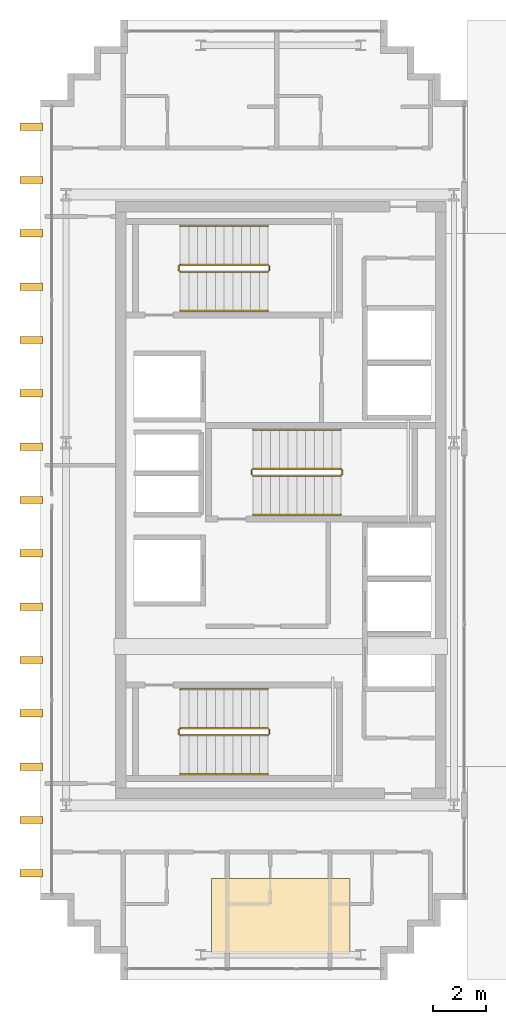
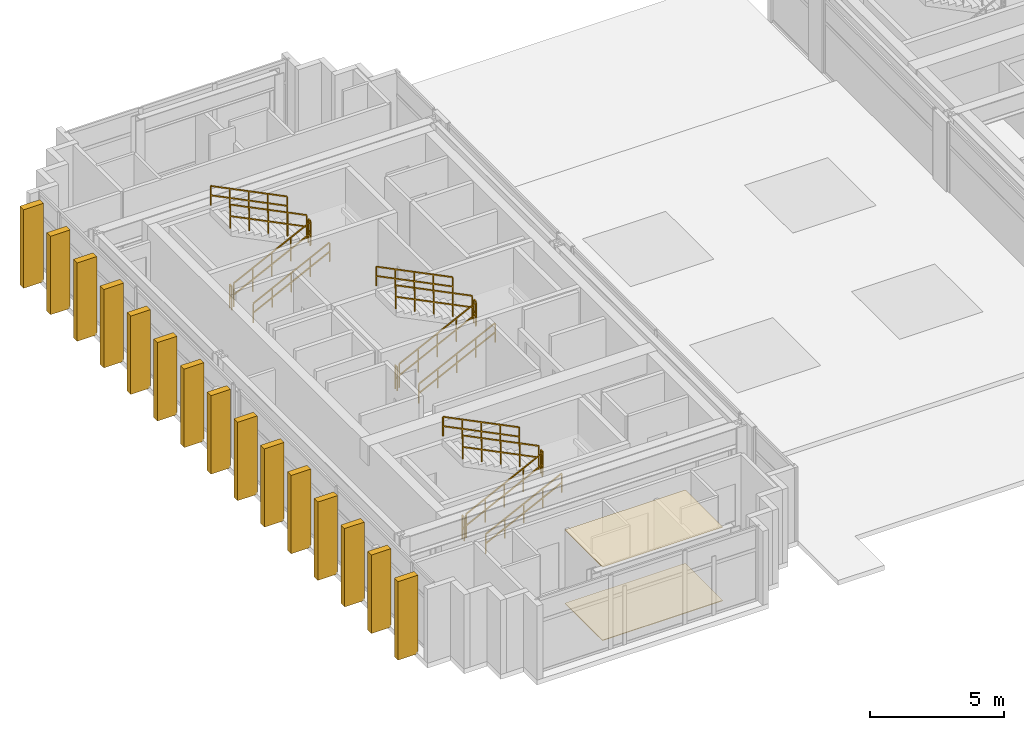
# One storey, part 24 of 25: 18 railings, 15 shading devices, 2 coverings.
"""IFC4 building model written with IfcOpenShell, lengths in metres."""

import ifcopenshell
import ifcopenshell.guid

model = None  # the IFC model being written
_history = None  # IfcOwnerHistory: only IFC2X3 demands one
_inside = {}  # id of a spatial element -> (the spatial element, [elements in it])
_under = {}  # id of a project, library or spatial element -> (it, [spatial elements below it])
_declared = {}  # id of a project -> (the project, [libraries it declares])
_typed = {}  # id of a type object -> (the type object, [elements of that type])
_made_of = {}  # id of a material, layer set ... -> (it, [elements and type objects made of it])


def new_model(schema):
    """Start an empty IFC model of exactly this schema.

    Asked for "IFC4X3", IfcOpenShell would pick the latest addendum, in which some entities
    have other attributes; the version numbers below select the first issue.
    IFC2X3 requires an IfcOwnerHistory on every rooted entity: one is made here for all.
    """
    global model, _history
    if schema == "IFC4X3":
        model = ifcopenshell.file(schema_version=(4, 3, 0, 0))
    else:
        model = ifcopenshell.file(schema=schema)
    _inside.clear()
    _under.clear()
    _declared.clear()
    _typed.clear()
    _made_of.clear()
    _history = None
    if model.schema == "IFC2X3":
        org = make("IfcOrganization", Name="unknown")
        user = make(
            "IfcPersonAndOrganization",
            ThePerson=make("IfcPerson", FamilyName="unknown"),
            TheOrganization=org,
        )
        app = make(
            "IfcApplication",
            ApplicationDeveloper=org,
            Version="unknown",
            ApplicationFullName="unknown",
            ApplicationIdentifier="unknown",
        )
        _history = make(
            "IfcOwnerHistory",
            OwningUser=user,
            OwningApplication=app,
            ChangeAction="ADDED",
            CreationDate=0,
        )
    return model


def make(cls, **values):
    """One entity of the class cls with the attributes given. An attribute that is None is left unset."""
    return model.create_entity(
        cls, **{name: value for name, value in values.items() if value is not None}
    )


def rooted(cls, **values):
    """An entity with a GlobalId (a new one), such as an element, a storey or a relation."""
    return make(cls, GlobalId=ifcopenshell.guid.new(), OwnerHistory=_history, **values)


def si_unit(unit_type, name, prefix=None):
    """IfcSIUnit, for example si_unit("LENGTHUNIT", "METRE", prefix="MILLI")."""
    return make("IfcSIUnit", UnitType=unit_type, Prefix=prefix, Name=name)


def assignment(units):
    """IfcUnitAssignment: the units of a project."""
    return None if units is None else make("IfcUnitAssignment", Units=units)


def point(xyz):
    """IfcCartesianPoint."""
    return None if xyz is None else make("IfcCartesianPoint", Coordinates=xyz)


def direction(xyz):
    """IfcDirection."""
    return None if xyz is None else make("IfcDirection", DirectionRatios=xyz)


def frame(location, z_axis=None, x_axis=None):
    """IfcAxis2Placement3D, a coordinate frame: its origin and axes. An axis left out is left unset."""
    return make(
        "IfcAxis2Placement3D",
        Location=point(location),
        Axis=direction(z_axis),
        RefDirection=direction(x_axis),
    )


def frame_2d(location, x_axis=None):
    """IfcAxis2Placement2D, a coordinate frame in the plane: its origin and x axis."""
    return make(
        "IfcAxis2Placement2D", Location=point(location), RefDirection=direction(x_axis)
    )


def origin():
    """The frame at (0, 0, 0) with its axes left unset."""
    return frame((0.0, 0.0, 0.0))


def origin_2d():
    """The frame at (0, 0) in the plane with its x axis left unset."""
    return frame_2d((0.0, 0.0))


def place(relative_to, where):
    """IfcLocalPlacement: puts the frame where relative to a parent placement (None: the world)."""
    return make(
        "IfcLocalPlacement", PlacementRelTo=relative_to, RelativePlacement=where
    )


def context(
    kind, dimensions, precision=None, world=None, true_north=None, identifier=None
):
    """IfcGeometricRepresentationContext, for example the 3D "Model" context."""
    return make(
        "IfcGeometricRepresentationContext",
        ContextIdentifier=identifier,
        ContextType=kind,
        CoordinateSpaceDimension=dimensions,
        Precision=precision,
        WorldCoordinateSystem=world,
        TrueNorth=true_north,
    )


def subcontext(parent, identifier, kind, view, scale=None):
    """IfcGeometricRepresentationSubContext, for example "Body" below "Model"."""
    return make(
        "IfcGeometricRepresentationSubContext",
        ContextIdentifier=identifier,
        ContextType=kind,
        ParentContext=parent,
        TargetScale=scale,
        TargetView=view,
    )


def project(units=None, contexts=None):
    """IfcProject with its units and contexts."""
    return rooted(
        "IfcProject",
        Name="project",
        RepresentationContexts=contexts,
        UnitsInContext=assignment(units),
    )


def spatial(cls, under=None, at=None, **own):
    """A site, building, storey or space (cls), placed at a placement, below another one or the project."""
    s = rooted(cls, ObjectPlacement=at, **own)
    if under is not None:
        _under.setdefault(under.id(), (under, []))[1].append(s)
    return s


def polyline(points):
    """IfcPolyline through the points."""
    return make("IfcPolyline", Points=[point(p) for p in points])


def profile(cls, at=None, kind="AREA", **sizes):
    """A parametric profile (cls). Its sizes go by their IFC names, for example OverallWidth=200.0."""
    return make(cls, ProfileType=kind, Position=at, **sizes)


def rectangle(**sizes):
    """IfcRectangleProfileDef."""
    return profile("IfcRectangleProfileDef", **sizes)


def outline(outer, holes=None, kind="AREA"):
    """IfcArbitraryClosedProfileDef: a profile drawn as a closed curve; with holes, ...WithVoids."""
    if holes is None:
        return make("IfcArbitraryClosedProfileDef", ProfileType=kind, OuterCurve=outer)
    return make(
        "IfcArbitraryProfileDefWithVoids",
        ProfileType=kind,
        OuterCurve=outer,
        InnerCurves=holes,
    )


def extrude(swept, where, along, depth):
    """IfcExtrudedAreaSolid: the profile swept, set in the frame where, extruded along a direction by depth."""
    return make(
        "IfcExtrudedAreaSolid",
        SweptArea=swept,
        Position=where,
        ExtrudedDirection=direction(along),
        Depth=depth,
    )


def shape(context_of_items, identifier, shape_type, items):
    """IfcShapeRepresentation: the items that make up one representation, for example the "Body"."""
    return make(
        "IfcShapeRepresentation",
        ContextOfItems=context_of_items,
        RepresentationIdentifier=identifier,
        RepresentationType=shape_type,
        Items=items,
    )


def source(mapping_origin, context_of_items, identifier, shape_type, items):
    """IfcRepresentationMap: a shape defined once, which mapped items show again and again."""
    return make(
        "IfcRepresentationMap",
        MappingOrigin=mapping_origin,
        MappedRepresentation=shape(context_of_items, identifier, shape_type, items),
    )


def transform(
    local_origin,
    x_axis=None,
    y_axis=None,
    z_axis=None,
    scale=None,
    scale2=None,
    scale3=None,
    uniform=True,
):
    """IfcCartesianTransformationOperator3D, or its non-uniform kind. x_axis, y_axis, z_axis: its Axis1, 2, 3."""
    if uniform:
        return make(
            "IfcCartesianTransformationOperator3D",
            Axis1=direction(x_axis),
            Axis2=direction(y_axis),
            LocalOrigin=point(local_origin),
            Scale=scale,
            Axis3=direction(z_axis),
        )
    return make(
        "IfcCartesianTransformationOperator3DnonUniform",
        Axis1=direction(x_axis),
        Axis2=direction(y_axis),
        LocalOrigin=point(local_origin),
        Scale=scale,
        Axis3=direction(z_axis),
        Scale2=scale2,
        Scale3=scale3,
    )


def mapped(mapping_source, mapping_target):
    """IfcMappedItem: shows the shape of a source again, moved by a transform."""
    return make(
        "IfcMappedItem", MappingSource=mapping_source, MappingTarget=mapping_target
    )


def material(Name=None, Category=None):
    """IfcMaterial."""
    return make("IfcMaterial", Name=Name, Category=Category)


def layer(
    of_material, thickness, ventilated=None, Name=None, Category=None, Priority=None
):
    """IfcMaterialLayer: one layer of a wall or slab, of a material (None: an air gap)."""
    return make(
        "IfcMaterialLayer",
        Material=of_material,
        LayerThickness=thickness,
        IsVentilated=ventilated,
        Name=Name,
        Category=Category,
        Priority=Priority,
    )


def layer_set(layers, Name=None):
    """IfcMaterialLayerSet."""
    return make("IfcMaterialLayerSet", MaterialLayers=layers, LayerSetName=Name)


def made_of(thing, what):
    """Note that an element or type object is made of a material, layer set ...; save() writes the relation."""
    if what is not None:
        _made_of.setdefault(what.id(), (what, []))[1].append(thing)
    return thing


def type_object(cls, material=None, **own):
    """A type object (cls), such as IfcWallType, which elements share."""
    return made_of(rooted(cls, **own), material)


def element(
    cls,
    number,
    at=None,
    inside=None,
    cuts=None,
    type_object=None,
    material=None,
    context=None,
    identifier="Body",
    shape_type=None,
    held_by="IfcProductDefinitionShape",
    body=None,
    shapes=None,
    **own,
):
    """One element of the class cls, such as IfcWall. Its Tag is "e" and its number.

    at: its placement. inside: the storey or other place that contains it. cuts: it is an
    opening in that element (IfcRelVoidsElement). A single representation is given by context,
    identifier, shape_type and body (its items); several are given by shapes. held_by: the class
    of the entity that holds the representations. save() writes the other relations.
    """
    e = rooted(cls, Tag="e%d" % number, ObjectPlacement=at, **own)
    if body is not None:
        shapes = [shape(context, identifier, shape_type, body)]
    if shapes is not None:
        e.Representation = make(held_by, Representations=shapes)
    if inside is not None:
        _inside.setdefault(inside.id(), (inside, []))[1].append(e)
    if cuts is not None:
        rooted(
            "IfcRelVoidsElement", RelatingBuildingElement=cuts, RelatedOpeningElement=e
        )
    if type_object is not None:
        _typed.setdefault(type_object.id(), (type_object, []))[1].append(e)
    return made_of(e, material)


def aggregate(whole, parts):
    """IfcRelAggregates: a whole, such as a stair, and the parts it consists of."""
    return rooted("IfcRelAggregates", RelatingObject=whole, RelatedObjects=parts)


def save(model, path):
    """Write the relations noted so far, then the file.

    IfcRelAggregates (storeys below a building ...), IfcRelContainedInSpatialStructure (elements
    in a storey), IfcRelDefinesByType, IfcRelAssociatesMaterial and IfcRelDeclares: one each for
    every whole, place, type object, material and project.
    """
    for whole, parts in _under.values():
        aggregate(whole, parts)
    for where, things in _inside.values():
        rooted(
            "IfcRelContainedInSpatialStructure",
            RelatedElements=things,
            RelatingStructure=where,
        )
    for kind, things in _typed.values():
        rooted("IfcRelDefinesByType", RelatedObjects=things, RelatingType=kind)
    for what, things in _made_of.values():
        rooted("IfcRelAssociatesMaterial", RelatedObjects=things, RelatingMaterial=what)
    for by, libraries in _declared.values():
        rooted("IfcRelDeclares", RelatingContext=by, RelatedDefinitions=libraries)
    model.write(path)


model = new_model("IFC4")

# Units and contexts
model_context = context("Model", 3, precision=1e-05, world=origin(), true_north=direction((0.0, 1.0)))
body_context = subcontext(model_context, "Body", "Model", "MODEL_VIEW")
ifc_project = project(units=[si_unit("LENGTHUNIT", "METRE"), si_unit("AREAUNIT", "SQUARE_METRE"), si_unit("VOLUMEUNIT", "CUBIC_METRE"), si_unit("PLANEANGLEUNIT", "RADIAN"), si_unit("MASSUNIT", "GRAM", prefix="KILO")], contexts=[model_context])

# Site, building, storey
site_placement = place(None, origin())
site = spatial("IfcSite", under=ifc_project, at=site_placement, CompositionType="ELEMENT")
building_placement = place(site_placement, origin())
building = spatial("IfcBuilding", under=site, at=building_placement, Name="Ocotamira Hotel", CompositionType="ELEMENT")
storey_placement = place(building_placement, frame((0.0, 0.0, 250.800048828125)))
storey = spatial("IfcBuildingStorey", under=building, at=storey_placement, Name="L63", CompositionType="ELEMENT", Elevation=250.800048828125)

# Coverings
ifc_material_1 = material(Name="Perforated acoustic gypsum ceiling board", Category="gypsum")
ifc_layer_1 = layer(ifc_material_1, 0.02490234375)
ifc_layer_set_1 = layer_set([ifc_layer_1], Name="Perforated acoustic gypsum ceiling board")
covering_type_1 = type_object("IfcCoveringType", Name="COV-CEIL-25", PredefinedType="CEILING", material=ifc_layer_set_1)
covering_1_placement = place(storey_placement, frame((0.0, 0.0, 3.35498046875)))
element("IfcCovering", 1, at=covering_1_placement, inside=storey, type_object=covering_type_1, Name="L63 Acoustic Ceiling", PredefinedType="CEILING", context=body_context, shape_type="SweptSolid", body=[
    extrude(outline(polyline([(14.39990234375, 9.0), (19.60009765625, 9.0), (19.60009765625, 11.800048828125), (14.39990234375, 11.800048828125), (14.39990234375, 9.0)])), origin(), (0.0, 0.0, 1.0), 0.02490234375),
])
ifc_material_2 = material(Name="Honed desert travertine stone flooring", Category="masonry")
ifc_layer_2 = layer(ifc_material_2, 0.030029296875)
ifc_layer_set_2 = layer_set([ifc_layer_2], Name="Honed desert travertine stone flooring")
covering_type_2 = type_object("IfcCoveringType", Name="COV-FLOR-30", PredefinedType="FLOORING", material=ifc_layer_set_2)
covering_2_placement = place(storey_placement, origin())
element("IfcCovering", 2, at=covering_2_placement, inside=storey, type_object=covering_type_2, Name="L63 Honed Stone Floor Finish", PredefinedType="FLOORING", context=body_context, shape_type="SweptSolid", body=[
    extrude(outline(polyline([(14.39990234375, 9.0), (19.60009765625, 9.0), (19.60009765625, 11.800048828125), (14.39990234375, 11.800048828125), (14.39990234375, 9.0)])), origin(), (0.0, 0.0, 1.0), 0.030029296875),
])

# Railings
ifc_material_3 = material(Name="Brushed stainless steel handrail", Category="steel")
railing_type_1 = type_object("IfcRailingType", Name="RL-HAND-900", PredefinedType="HANDRAIL", material=ifc_material_3)
railing_1_placement = place(storey_placement, frame((13.22998046875, 15.719970703125, 0.3271484375)))
element("IfcRailing", 3, at=railing_1_placement, inside=storey, type_object=railing_type_1, Name="L63 ST-1 stair handrail 1", PredefinedType="HANDRAIL", context=body_context, shape_type="SweptSolid", body=[
    extrude(rectangle(XDim=0.048095703125, YDim=0.048095703125, at=origin_2d()), frame((0.0, 0.0, 0.8759765625), z_axis=(0.895893744519, 0.0, 0.4442683857), x_axis=(0.0, 1.0, 0.0)), (0.0, 0.0, 1.0), 3.68359375),
    extrude(rectangle(XDim=0.048095703125, YDim=0.048095703125, at=origin_2d()), frame((0.0, 0.0, 0.449951171875), z_axis=(0.895893744519, 0.0, 0.4442683857), x_axis=(0.0, 1.0, 0.0)), (0.0, 0.0, 1.0), 3.68359375),
    extrude(rectangle(XDim=0.0419921875, YDim=0.0419921875, at=origin_2d()), origin(), (0.0, 0.0, 1.0), 0.851806640625),
    extrude(rectangle(XDim=0.0419921875, YDim=0.0419921875, at=origin_2d()), frame((0.824951171875, 0.0, 0.4091796875)), (0.0, 0.0, 1.0), 0.851806640625),
    extrude(rectangle(XDim=0.0419921875, YDim=0.0419921875, at=origin_2d()), frame((1.64990234375, 0.0, 0.818359375)), (0.0, 0.0, 1.0), 0.851806640625),
    extrude(rectangle(XDim=0.0419921875, YDim=0.0419921875, at=origin_2d()), frame((2.47509765625, 0.0, 1.227294921875)), (0.0, 0.0, 1.0), 0.851806640625),
    extrude(rectangle(XDim=0.0419921875, YDim=0.0419921875, at=origin_2d()), frame((3.300048828125, 0.0, 1.636474609375)), (0.0, 0.0, 1.0), 0.851806640625),
])
railing_2_placement = place(storey_placement, frame((16.530029296875, 18.89990234375, 2.127197265625)))
element("IfcRailing", 4, at=railing_2_placement, inside=storey, type_object=railing_type_1, Name="L63 ST-1 stair handrail 2", PredefinedType="HANDRAIL", context=body_context, shape_type="SweptSolid", body=[
    extrude(rectangle(XDim=0.048095703125, YDim=0.048095703125, at=origin_2d()), frame((0.0, 0.0, 0.8759765625), z_axis=(-0.895893744519, 0.0, 0.4442683857), x_axis=(0.0, -1.0, 0.0)), (0.0, 0.0, 1.0), 3.68359375),
    extrude(rectangle(XDim=0.048095703125, YDim=0.048095703125, at=origin_2d()), frame((0.0, 0.0, 0.449951171875), z_axis=(-0.895893744519, 0.0, 0.4442683857), x_axis=(0.0, -1.0, 0.0)), (0.0, 0.0, 1.0), 3.68359375),
    extrude(rectangle(XDim=0.0419921875, YDim=0.0419921875, at=origin_2d()), origin(), (0.0, 0.0, 1.0), 0.851806640625),
    extrude(rectangle(XDim=0.0419921875, YDim=0.0419921875, at=origin_2d()), frame((-0.824951171875, 0.0, 0.4091796875)), (0.0, 0.0, 1.0), 0.851806640625),
    extrude(rectangle(XDim=0.0419921875, YDim=0.0419921875, at=origin_2d()), frame((-1.64990234375, 0.0, 0.818359375)), (0.0, 0.0, 1.0), 0.851806640625),
    extrude(rectangle(XDim=0.0419921875, YDim=0.0419921875, at=origin_2d()), frame((-2.47509765625, 0.0, 1.227294921875)), (0.0, 0.0, 1.0), 0.851806640625),
    extrude(rectangle(XDim=0.0419921875, YDim=0.0419921875, at=origin_2d()), frame((-3.300048828125, 0.0, 1.636474609375)), (0.0, 0.0, 1.0), 0.851806640625),
])
railing_3_placement = place(storey_placement, frame((13.22998046875, 33.10009765625, 0.3271484375)))
element("IfcRailing", 5, at=railing_3_placement, inside=storey, type_object=railing_type_1, Name="L63 ST-2 stair handrail 1", PredefinedType="HANDRAIL", context=body_context, shape_type="SweptSolid", body=[
    extrude(rectangle(XDim=0.048095703125, YDim=0.048095703125, at=origin_2d()), frame((0.0, 0.0, 0.8759765625), z_axis=(0.895893744519, 0.0, 0.4442683857), x_axis=(0.0, 1.0, 0.0)), (0.0, 0.0, 1.0), 3.68359375),
    extrude(rectangle(XDim=0.048095703125, YDim=0.048095703125, at=origin_2d()), frame((0.0, 0.0, 0.449951171875), z_axis=(0.895893744519, 0.0, 0.4442683857), x_axis=(0.0, 1.0, 0.0)), (0.0, 0.0, 1.0), 3.68359375),
    extrude(rectangle(XDim=0.0419921875, YDim=0.0419921875, at=origin_2d()), origin(), (0.0, 0.0, 1.0), 0.851806640625),
    extrude(rectangle(XDim=0.0419921875, YDim=0.0419921875, at=origin_2d()), frame((0.824951171875, 0.0, 0.4091796875)), (0.0, 0.0, 1.0), 0.851806640625),
    extrude(rectangle(XDim=0.0419921875, YDim=0.0419921875, at=origin_2d()), frame((1.64990234375, 0.0, 0.818359375)), (0.0, 0.0, 1.0), 0.851806640625),
    extrude(rectangle(XDim=0.0419921875, YDim=0.0419921875, at=origin_2d()), frame((2.47509765625, 0.0, 1.227294921875)), (0.0, 0.0, 1.0), 0.851806640625),
    extrude(rectangle(XDim=0.0419921875, YDim=0.0419921875, at=origin_2d()), frame((3.300048828125, 0.0, 1.636474609375)), (0.0, 0.0, 1.0), 0.851806640625),
])
railing_4_placement = place(storey_placement, frame((16.530029296875, 36.280029296875, 2.127197265625)))
element("IfcRailing", 6, at=railing_4_placement, inside=storey, type_object=railing_type_1, Name="L63 ST-2 stair handrail 2", PredefinedType="HANDRAIL", context=body_context, shape_type="SweptSolid", body=[
    extrude(rectangle(XDim=0.048095703125, YDim=0.048095703125, at=origin_2d()), frame((0.0, 0.0, 0.8759765625), z_axis=(-0.895893744519, 0.0, 0.4442683857), x_axis=(0.0, -1.0, 0.0)), (0.0, 0.0, 1.0), 3.68359375),
    extrude(rectangle(XDim=0.048095703125, YDim=0.048095703125, at=origin_2d()), frame((0.0, 0.0, 0.449951171875), z_axis=(-0.895893744519, 0.0, 0.4442683857), x_axis=(0.0, -1.0, 0.0)), (0.0, 0.0, 1.0), 3.68359375),
    extrude(rectangle(XDim=0.0419921875, YDim=0.0419921875, at=origin_2d()), origin(), (0.0, 0.0, 1.0), 0.851806640625),
    extrude(rectangle(XDim=0.0419921875, YDim=0.0419921875, at=origin_2d()), frame((-0.824951171875, 0.0, 0.4091796875)), (0.0, 0.0, 1.0), 0.851806640625),
    extrude(rectangle(XDim=0.0419921875, YDim=0.0419921875, at=origin_2d()), frame((-1.64990234375, 0.0, 0.818359375)), (0.0, 0.0, 1.0), 0.851806640625),
    extrude(rectangle(XDim=0.0419921875, YDim=0.0419921875, at=origin_2d()), frame((-2.47509765625, 0.0, 1.227294921875)), (0.0, 0.0, 1.0), 0.851806640625),
    extrude(rectangle(XDim=0.0419921875, YDim=0.0419921875, at=origin_2d()), frame((-3.300048828125, 0.0, 1.636474609375)), (0.0, 0.0, 1.0), 0.851806640625),
])
railing_5_placement = place(storey_placement, frame((15.9599609375, 25.449951171875, 0.3271484375)))
element("IfcRailing", 7, at=railing_5_placement, inside=storey, type_object=railing_type_1, Name="L63 ST-3 stair handrail 1", PredefinedType="HANDRAIL", context=body_context, shape_type="SweptSolid", body=[
    extrude(rectangle(XDim=0.048095703125, YDim=0.048095703125, at=origin_2d()), frame((0.0, 0.0, 0.8759765625), z_axis=(0.895893744519, 0.0, 0.4442683857), x_axis=(0.0, 1.0, 0.0)), (0.0, 0.0, 1.0), 3.68359375),
    extrude(rectangle(XDim=0.048095703125, YDim=0.048095703125, at=origin_2d()), frame((0.0, 0.0, 0.449951171875), z_axis=(0.895893744519, 0.0, 0.4442683857), x_axis=(0.0, 1.0, 0.0)), (0.0, 0.0, 1.0), 3.68359375),
    extrude(rectangle(XDim=0.0419921875, YDim=0.0419921875, at=origin_2d()), origin(), (0.0, 0.0, 1.0), 0.851806640625),
    extrude(rectangle(XDim=0.0419921875, YDim=0.0419921875, at=origin_2d()), frame((0.824951171875, 0.0, 0.4091796875)), (0.0, 0.0, 1.0), 0.851806640625),
    extrude(rectangle(XDim=0.0419921875, YDim=0.0419921875, at=origin_2d()), frame((1.64990234375, 0.0, 0.818359375)), (0.0, 0.0, 1.0), 0.851806640625),
    extrude(rectangle(XDim=0.0419921875, YDim=0.0419921875, at=origin_2d()), frame((2.47509765625, 0.0, 1.227294921875)), (0.0, 0.0, 1.0), 0.851806640625),
    extrude(rectangle(XDim=0.0419921875, YDim=0.0419921875, at=origin_2d()), frame((3.300048828125, 0.0, 1.636474609375)), (0.0, 0.0, 1.0), 0.851806640625),
])
railing_6_placement = place(storey_placement, frame((19.260009765625, 28.6298828125, 2.127197265625)))
element("IfcRailing", 8, at=railing_6_placement, inside=storey, type_object=railing_type_1, Name="L63 ST-3 stair handrail 2", PredefinedType="HANDRAIL", context=body_context, shape_type="SweptSolid", body=[
    extrude(rectangle(XDim=0.048095703125, YDim=0.048095703125, at=origin_2d()), frame((0.0, 0.0, 0.8759765625), z_axis=(-0.895893744519, 0.0, 0.4442683857), x_axis=(0.0, -1.0, 0.0)), (0.0, 0.0, 1.0), 3.68359375),
    extrude(rectangle(XDim=0.048095703125, YDim=0.048095703125, at=origin_2d()), frame((0.0, 0.0, 0.449951171875), z_axis=(-0.895893744519, 0.0, 0.4442683857), x_axis=(0.0, -1.0, 0.0)), (0.0, 0.0, 1.0), 3.68359375),
    extrude(rectangle(XDim=0.0419921875, YDim=0.0419921875, at=origin_2d()), origin(), (0.0, 0.0, 1.0), 0.851806640625),
    extrude(rectangle(XDim=0.0419921875, YDim=0.0419921875, at=origin_2d()), frame((-0.824951171875, 0.0, 0.4091796875)), (0.0, 0.0, 1.0), 0.851806640625),
    extrude(rectangle(XDim=0.0419921875, YDim=0.0419921875, at=origin_2d()), frame((-1.64990234375, 0.0, 0.818359375)), (0.0, 0.0, 1.0), 0.851806640625),
    extrude(rectangle(XDim=0.0419921875, YDim=0.0419921875, at=origin_2d()), frame((-2.47509765625, 0.0, 1.227294921875)), (0.0, 0.0, 1.0), 0.851806640625),
    extrude(rectangle(XDim=0.0419921875, YDim=0.0419921875, at=origin_2d()), frame((-3.300048828125, 0.0, 1.636474609375)), (0.0, 0.0, 1.0), 0.851806640625),
])
ifc_material_4 = material(Name="Painted steel stair guardrail", Category="steel")
railing_type_2 = type_object("IfcRailingType", Name="RL-STAIR-1100", PredefinedType="GUARDRAIL", material=ifc_material_4)
railing_7_placement = place(storey_placement, frame((13.22998046875, 17.179931640625, 0.16357421875)))
element("IfcRailing", 9, at=railing_7_placement, inside=storey, type_object=railing_type_2, Name="L63 ST-1 stair guard 1", PredefinedType="GUARDRAIL", context=body_context, shape_type="SweptSolid", body=[
    extrude(rectangle(XDim=0.048095703125, YDim=0.048095703125, at=origin_2d()), frame((0.0, 0.0, 1.076171875), z_axis=(0.895893744519, 0.0, 0.4442683857), x_axis=(0.0, 1.0, 0.0)), (0.0, 0.0, 1.0), 3.68359375),
    extrude(rectangle(XDim=0.048095703125, YDim=0.048095703125, at=origin_2d()), frame((0.0, 0.0, 0.550048828125), z_axis=(0.895893744519, 0.0, 0.4442683857), x_axis=(0.0, 1.0, 0.0)), (0.0, 0.0, 1.0), 3.68359375),
    extrude(rectangle(XDim=0.0419921875, YDim=0.0419921875, at=origin_2d()), origin(), (0.0, 0.0, 1.0), 1.052001953125),
    extrude(rectangle(XDim=0.0419921875, YDim=0.0419921875, at=origin_2d()), frame((0.824951171875, 0.0, 0.4091796875)), (0.0, 0.0, 1.0), 1.052001953125),
    extrude(rectangle(XDim=0.0419921875, YDim=0.0419921875, at=origin_2d()), frame((1.64990234375, 0.0, 0.818359375)), (0.0, 0.0, 1.0), 1.052001953125),
    extrude(rectangle(XDim=0.0419921875, YDim=0.0419921875, at=origin_2d()), frame((2.47509765625, 0.0, 1.227294921875)), (0.0, 0.0, 1.0), 1.052001953125),
    extrude(rectangle(XDim=0.0419921875, YDim=0.0419921875, at=origin_2d()), frame((3.300048828125, 0.0, 1.636474609375)), (0.0, 0.0, 1.0), 1.052001953125),
])
railing_8_placement = place(storey_placement, frame((16.580078125, 17.22998046875, 1.800048828125)))
element("IfcRailing", 10, at=railing_8_placement, inside=storey, type_object=railing_type_2, Name="L63 ST-1 stair guard 2", PredefinedType="GUARDRAIL", context=body_context, shape_type="SweptSolid", body=[
    extrude(rectangle(XDim=0.048095703125, YDim=0.048095703125, at=origin_2d()), frame((0.0, 0.0, 1.076171875), z_axis=(0.0, 1.0, 0.0), x_axis=(-1.0, 0.0, 0.0)), (0.0, 0.0, 1.0), 0.159912109375),
    extrude(rectangle(XDim=0.048095703125, YDim=0.048095703125, at=origin_2d()), frame((0.0, 0.0, 0.550048828125), z_axis=(0.0, 1.0, 0.0), x_axis=(-1.0, 0.0, 0.0)), (0.0, 0.0, 1.0), 0.159912109375),
    extrude(rectangle(XDim=0.0419921875, YDim=0.0419921875, at=origin_2d()), origin(), (0.0, 0.0, 1.0), 1.052001953125),
    extrude(rectangle(XDim=0.0419921875, YDim=0.0419921875, at=origin_2d()), frame((0.0, 0.159912109375, 0.0)), (0.0, 0.0, 1.0), 1.052001953125),
])
railing_9_placement = place(storey_placement, frame((16.530029296875, 17.43994140625, 1.963623046875)))
element("IfcRailing", 11, at=railing_9_placement, inside=storey, type_object=railing_type_2, Name="L63 ST-1 stair guard 3", PredefinedType="GUARDRAIL", context=body_context, shape_type="SweptSolid", body=[
    extrude(rectangle(XDim=0.048095703125, YDim=0.048095703125, at=origin_2d()), frame((0.0, 0.0, 1.076171875), z_axis=(-0.895920123917, 0.0, 0.444215186098), x_axis=(0.0, -1.0, 0.0)), (0.0, 0.0, 1.0), 3.683349609375),
    extrude(rectangle(XDim=0.048095703125, YDim=0.048095703125, at=origin_2d()), frame((0.0, 0.0, 0.550048828125), z_axis=(-0.895920123917, 0.0, 0.444215186098), x_axis=(0.0, -1.0, 0.0)), (0.0, 0.0, 1.0), 3.683349609375),
    extrude(rectangle(XDim=0.0419921875, YDim=0.0419921875, at=origin_2d()), origin(), (0.0, 0.0, 1.0), 1.052001953125),
    extrude(rectangle(XDim=0.0419921875, YDim=0.0419921875, at=origin_2d()), frame((-0.824951171875, 0.0, 0.4091796875)), (0.0, 0.0, 1.0), 1.052001953125),
    extrude(rectangle(XDim=0.0419921875, YDim=0.0419921875, at=origin_2d()), frame((-1.64990234375, 0.0, 0.818115234375)), (0.0, 0.0, 1.0), 1.052001953125),
    extrude(rectangle(XDim=0.0419921875, YDim=0.0419921875, at=origin_2d()), frame((-2.47509765625, 0.0, 1.22705078125)), (0.0, 0.0, 1.0), 1.052001953125),
    extrude(rectangle(XDim=0.0419921875, YDim=0.0419921875, at=origin_2d()), frame((-3.300048828125, 0.0, 1.63623046875)), (0.0, 0.0, 1.0), 1.052001953125),
])
railing_10_placement = place(storey_placement, frame((13.179931640625, 17.22998046875, 0.0)))
element("IfcRailing", 12, at=railing_10_placement, inside=storey, type_object=railing_type_2, Name="L63 ST-1 stair guard 4", PredefinedType="GUARDRAIL", context=body_context, shape_type="SweptSolid", body=[
    extrude(rectangle(XDim=0.048095703125, YDim=0.048095703125, at=origin_2d()), frame((0.0, 0.0, 1.076171875), z_axis=(0.0, 1.0, 0.0), x_axis=(-1.0, 0.0, 0.0)), (0.0, 0.0, 1.0), 0.159912109375),
    extrude(rectangle(XDim=0.048095703125, YDim=0.048095703125, at=origin_2d()), frame((0.0, 0.0, 0.550048828125), z_axis=(0.0, 1.0, 0.0), x_axis=(-1.0, 0.0, 0.0)), (0.0, 0.0, 1.0), 0.159912109375),
    extrude(rectangle(XDim=0.0419921875, YDim=0.0419921875, at=origin_2d()), origin(), (0.0, 0.0, 1.0), 1.052001953125),
    extrude(rectangle(XDim=0.0419921875, YDim=0.0419921875, at=origin_2d()), frame((0.0, 0.159912109375, 0.0)), (0.0, 0.0, 1.0), 1.052001953125),
])
railing_11_placement = place(storey_placement, frame((13.22998046875, 34.56005859375, 0.16357421875)))
element("IfcRailing", 13, at=railing_11_placement, inside=storey, type_object=railing_type_2, Name="L63 ST-2 stair guard 1", PredefinedType="GUARDRAIL", context=body_context, shape_type="SweptSolid", body=[
    extrude(rectangle(XDim=0.048095703125, YDim=0.048095703125, at=origin_2d()), frame((0.0, 0.0, 1.076171875), z_axis=(0.895893744519, 0.0, 0.4442683857), x_axis=(0.0, 1.0, 0.0)), (0.0, 0.0, 1.0), 3.68359375),
    extrude(rectangle(XDim=0.048095703125, YDim=0.048095703125, at=origin_2d()), frame((0.0, 0.0, 0.550048828125), z_axis=(0.895893744519, 0.0, 0.4442683857), x_axis=(0.0, 1.0, 0.0)), (0.0, 0.0, 1.0), 3.68359375),
    extrude(rectangle(XDim=0.0419921875, YDim=0.0419921875, at=origin_2d()), origin(), (0.0, 0.0, 1.0), 1.052001953125),
    extrude(rectangle(XDim=0.0419921875, YDim=0.0419921875, at=origin_2d()), frame((0.824951171875, 0.0, 0.4091796875)), (0.0, 0.0, 1.0), 1.052001953125),
    extrude(rectangle(XDim=0.0419921875, YDim=0.0419921875, at=origin_2d()), frame((1.64990234375, 0.0, 0.818359375)), (0.0, 0.0, 1.0), 1.052001953125),
    extrude(rectangle(XDim=0.0419921875, YDim=0.0419921875, at=origin_2d()), frame((2.47509765625, 0.0, 1.227294921875)), (0.0, 0.0, 1.0), 1.052001953125),
    extrude(rectangle(XDim=0.0419921875, YDim=0.0419921875, at=origin_2d()), frame((3.300048828125, 0.0, 1.636474609375)), (0.0, 0.0, 1.0), 1.052001953125),
])
railing_12_placement = place(storey_placement, frame((16.580078125, 34.610107421875, 1.800048828125)))
element("IfcRailing", 14, at=railing_12_placement, inside=storey, type_object=railing_type_2, Name="L63 ST-2 stair guard 2", PredefinedType="GUARDRAIL", context=body_context, shape_type="SweptSolid", body=[
    extrude(rectangle(XDim=0.048095703125, YDim=0.048095703125, at=origin_2d()), frame((0.0, 0.0, 1.076171875), z_axis=(0.0, 1.0, 0.0), x_axis=(-1.0, 0.0, 0.0)), (0.0, 0.0, 1.0), 0.159912109375),
    extrude(rectangle(XDim=0.048095703125, YDim=0.048095703125, at=origin_2d()), frame((0.0, 0.0, 0.550048828125), z_axis=(0.0, 1.0, 0.0), x_axis=(-1.0, 0.0, 0.0)), (0.0, 0.0, 1.0), 0.159912109375),
    extrude(rectangle(XDim=0.0419921875, YDim=0.0419921875, at=origin_2d()), origin(), (0.0, 0.0, 1.0), 1.052001953125),
    extrude(rectangle(XDim=0.0419921875, YDim=0.0419921875, at=origin_2d()), frame((0.0, 0.159912109375, 0.0)), (0.0, 0.0, 1.0), 1.052001953125),
])
railing_13_placement = place(storey_placement, frame((16.530029296875, 34.820068359375, 1.963623046875)))
element("IfcRailing", 15, at=railing_13_placement, inside=storey, type_object=railing_type_2, Name="L63 ST-2 stair guard 3", PredefinedType="GUARDRAIL", context=body_context, shape_type="SweptSolid", body=[
    extrude(rectangle(XDim=0.048095703125, YDim=0.048095703125, at=origin_2d()), frame((0.0, 0.0, 1.076171875), z_axis=(-0.895920123917, 0.0, 0.444215186098), x_axis=(0.0, -1.0, 0.0)), (0.0, 0.0, 1.0), 3.683349609375),
    extrude(rectangle(XDim=0.048095703125, YDim=0.048095703125, at=origin_2d()), frame((0.0, 0.0, 0.550048828125), z_axis=(-0.895920123917, 0.0, 0.444215186098), x_axis=(0.0, -1.0, 0.0)), (0.0, 0.0, 1.0), 3.683349609375),
    extrude(rectangle(XDim=0.0419921875, YDim=0.0419921875, at=origin_2d()), origin(), (0.0, 0.0, 1.0), 1.052001953125),
    extrude(rectangle(XDim=0.0419921875, YDim=0.0419921875, at=origin_2d()), frame((-0.824951171875, 0.0, 0.4091796875)), (0.0, 0.0, 1.0), 1.052001953125),
    extrude(rectangle(XDim=0.0419921875, YDim=0.0419921875, at=origin_2d()), frame((-1.64990234375, 0.0, 0.818115234375)), (0.0, 0.0, 1.0), 1.052001953125),
    extrude(rectangle(XDim=0.0419921875, YDim=0.0419921875, at=origin_2d()), frame((-2.47509765625, 0.0, 1.22705078125)), (0.0, 0.0, 1.0), 1.052001953125),
    extrude(rectangle(XDim=0.0419921875, YDim=0.0419921875, at=origin_2d()), frame((-3.300048828125, 0.0, 1.63623046875)), (0.0, 0.0, 1.0), 1.052001953125),
])
railing_14_placement = place(storey_placement, frame((13.179931640625, 34.610107421875, 0.0)))
element("IfcRailing", 16, at=railing_14_placement, inside=storey, type_object=railing_type_2, Name="L63 ST-2 stair guard 4", PredefinedType="GUARDRAIL", context=body_context, shape_type="SweptSolid", body=[
    extrude(rectangle(XDim=0.048095703125, YDim=0.048095703125, at=origin_2d()), frame((0.0, 0.0, 1.076171875), z_axis=(0.0, 1.0, 0.0), x_axis=(-1.0, 0.0, 0.0)), (0.0, 0.0, 1.0), 0.159912109375),
    extrude(rectangle(XDim=0.048095703125, YDim=0.048095703125, at=origin_2d()), frame((0.0, 0.0, 0.550048828125), z_axis=(0.0, 1.0, 0.0), x_axis=(-1.0, 0.0, 0.0)), (0.0, 0.0, 1.0), 0.159912109375),
    extrude(rectangle(XDim=0.0419921875, YDim=0.0419921875, at=origin_2d()), origin(), (0.0, 0.0, 1.0), 1.052001953125),
    extrude(rectangle(XDim=0.0419921875, YDim=0.0419921875, at=origin_2d()), frame((0.0, 0.159912109375, 0.0)), (0.0, 0.0, 1.0), 1.052001953125),
])
railing_15_placement = place(storey_placement, frame((15.9599609375, 26.909912109375, 0.16357421875)))
element("IfcRailing", 17, at=railing_15_placement, inside=storey, type_object=railing_type_2, Name="L63 ST-3 stair guard 1", PredefinedType="GUARDRAIL", context=body_context, shape_type="SweptSolid", body=[
    extrude(rectangle(XDim=0.048095703125, YDim=0.048095703125, at=origin_2d()), frame((0.0, 0.0, 1.076171875), z_axis=(0.895893744519, 0.0, 0.4442683857), x_axis=(0.0, 1.0, 0.0)), (0.0, 0.0, 1.0), 3.68359375),
    extrude(rectangle(XDim=0.048095703125, YDim=0.048095703125, at=origin_2d()), frame((0.0, 0.0, 0.550048828125), z_axis=(0.895893744519, 0.0, 0.4442683857), x_axis=(0.0, 1.0, 0.0)), (0.0, 0.0, 1.0), 3.68359375),
    extrude(rectangle(XDim=0.0419921875, YDim=0.0419921875, at=origin_2d()), origin(), (0.0, 0.0, 1.0), 1.052001953125),
    extrude(rectangle(XDim=0.0419921875, YDim=0.0419921875, at=origin_2d()), frame((0.824951171875, 0.0, 0.4091796875)), (0.0, 0.0, 1.0), 1.052001953125),
    extrude(rectangle(XDim=0.0419921875, YDim=0.0419921875, at=origin_2d()), frame((1.64990234375, 0.0, 0.818359375)), (0.0, 0.0, 1.0), 1.052001953125),
    extrude(rectangle(XDim=0.0419921875, YDim=0.0419921875, at=origin_2d()), frame((2.47509765625, 0.0, 1.227294921875)), (0.0, 0.0, 1.0), 1.052001953125),
    extrude(rectangle(XDim=0.0419921875, YDim=0.0419921875, at=origin_2d()), frame((3.300048828125, 0.0, 1.636474609375)), (0.0, 0.0, 1.0), 1.052001953125),
])
railing_16_placement = place(storey_placement, frame((19.31005859375, 26.9599609375, 1.800048828125)))
element("IfcRailing", 18, at=railing_16_placement, inside=storey, type_object=railing_type_2, Name="L63 ST-3 stair guard 2", PredefinedType="GUARDRAIL", context=body_context, shape_type="SweptSolid", body=[
    extrude(rectangle(XDim=0.048095703125, YDim=0.048095703125, at=origin_2d()), frame((0.0, 0.0, 1.076171875), z_axis=(0.0, 1.0, 0.0), x_axis=(-1.0, 0.0, 0.0)), (0.0, 0.0, 1.0), 0.16015625),
    extrude(rectangle(XDim=0.048095703125, YDim=0.048095703125, at=origin_2d()), frame((0.0, 0.0, 0.550048828125), z_axis=(0.0, 1.0, 0.0), x_axis=(-1.0, 0.0, 0.0)), (0.0, 0.0, 1.0), 0.16015625),
    extrude(rectangle(XDim=0.0419921875, YDim=0.0419921875, at=origin_2d()), origin(), (0.0, 0.0, 1.0), 1.052001953125),
    extrude(rectangle(XDim=0.0419921875, YDim=0.0419921875, at=origin_2d()), frame((0.0, 0.16015625, 0.0)), (0.0, 0.0, 1.0), 1.052001953125),
])
railing_17_placement = place(storey_placement, frame((19.260009765625, 27.169921875, 1.963623046875)))
element("IfcRailing", 19, at=railing_17_placement, inside=storey, type_object=railing_type_2, Name="L63 ST-3 stair guard 3", PredefinedType="GUARDRAIL", context=body_context, shape_type="SweptSolid", body=[
    extrude(rectangle(XDim=0.048095703125, YDim=0.048095703125, at=origin_2d()), frame((0.0, 0.0, 1.076171875), z_axis=(-0.895920123917, 0.0, 0.444215186098), x_axis=(0.0, -1.0, 0.0)), (0.0, 0.0, 1.0), 3.683349609375),
    extrude(rectangle(XDim=0.048095703125, YDim=0.048095703125, at=origin_2d()), frame((0.0, 0.0, 0.550048828125), z_axis=(-0.895920123917, 0.0, 0.444215186098), x_axis=(0.0, -1.0, 0.0)), (0.0, 0.0, 1.0), 3.683349609375),
    extrude(rectangle(XDim=0.0419921875, YDim=0.0419921875, at=origin_2d()), origin(), (0.0, 0.0, 1.0), 1.052001953125),
    extrude(rectangle(XDim=0.0419921875, YDim=0.0419921875, at=origin_2d()), frame((-0.824951171875, 0.0, 0.4091796875)), (0.0, 0.0, 1.0), 1.052001953125),
    extrude(rectangle(XDim=0.0419921875, YDim=0.0419921875, at=origin_2d()), frame((-1.64990234375, 0.0, 0.818115234375)), (0.0, 0.0, 1.0), 1.052001953125),
    extrude(rectangle(XDim=0.0419921875, YDim=0.0419921875, at=origin_2d()), frame((-2.47509765625, 0.0, 1.22705078125)), (0.0, 0.0, 1.0), 1.052001953125),
    extrude(rectangle(XDim=0.0419921875, YDim=0.0419921875, at=origin_2d()), frame((-3.300048828125, 0.0, 1.63623046875)), (0.0, 0.0, 1.0), 1.052001953125),
])
railing_18_placement = place(storey_placement, frame((15.909912109375, 26.9599609375, 0.0)))
element("IfcRailing", 20, at=railing_18_placement, inside=storey, type_object=railing_type_2, Name="L63 ST-3 stair guard 4", PredefinedType="GUARDRAIL", context=body_context, shape_type="SweptSolid", body=[
    extrude(rectangle(XDim=0.048095703125, YDim=0.048095703125, at=origin_2d()), frame((0.0, 0.0, 1.076171875), z_axis=(0.0, 1.0, 0.0), x_axis=(-1.0, 0.0, 0.0)), (0.0, 0.0, 1.0), 0.16015625),
    extrude(rectangle(XDim=0.048095703125, YDim=0.048095703125, at=origin_2d()), frame((0.0, 0.0, 0.550048828125), z_axis=(0.0, 1.0, 0.0), x_axis=(-1.0, 0.0, 0.0)), (0.0, 0.0, 1.0), 0.16015625),
    extrude(rectangle(XDim=0.0419921875, YDim=0.0419921875, at=origin_2d()), origin(), (0.0, 0.0, 1.0), 1.052001953125),
    extrude(rectangle(XDim=0.0419921875, YDim=0.0419921875, at=origin_2d()), frame((0.0, 0.16015625, 0.0)), (0.0, 0.0, 1.0), 1.052001953125),
])

# Shading devices
ifc_material_5 = material(Name="Pale-metal anodised aluminium architectural fin", Category="aluminium")
shading_device_type = type_object("IfcShadingDeviceType", Name="SHD-PIER-850", PredefinedType="USERDEFINED", material=ifc_material_5)
shared_shape = source(origin(), body_context, "Body", "SweptSolid", [
    extrude(rectangle(XDim=0.85009765625, YDim=0.280029296875, at=origin_2d()), origin(), (0.0, 0.0, 1.0), 3.580078125),
])
for number, where, z_axis, x_axis, name in (
    (21, (7.64990234375, 12.0, -0.10009765625), (0.0, 0.0, 1.0), (1.0, 0.0, 0.0), "L63 Vertical Pale-Metal Pier W Y12"),
    (22, (7.64990234375, 14.0, -0.10009765625), (0.0, 0.0, 1.0), (1.0, 0.0, 0.0), "L63 Vertical Pale-Metal Pier W Y14"),
    (23, (7.64990234375, 16.0, -0.10009765625), (0.0, 0.0, 1.0), (1.0, 0.0, 0.0), "L63 Vertical Pale-Metal Pier W Y16"),
    (24, (7.64990234375, 18.0, -0.10009765625), (0.0, 0.0, 1.0), (1.0, 0.0, 0.0), "L63 Vertical Pale-Metal Pier W Y18"),
    (25, (7.64990234375, 20.0, -0.10009765625), (0.0, 0.0, 1.0), (1.0, 0.0, 0.0), "L63 Vertical Pale-Metal Pier W Y20"),
    (26, (7.64990234375, 22.0, -0.10009765625), (0.0, 0.0, 1.0), (1.0, 0.0, 0.0), "L63 Vertical Pale-Metal Pier W Y22"),
    (27, (7.64990234375, 24.0, -0.10009765625), (0.0, 0.0, 1.0), (1.0, 0.0, 0.0), "L63 Vertical Pale-Metal Pier W Y24"),
    (28, (7.64990234375, 26.0, -0.10009765625), (0.0, 0.0, 1.0), (1.0, 0.0, 0.0), "L63 Vertical Pale-Metal Pier W Y26"),
    (29, (7.64990234375, 28.0, -0.10009765625), (0.0, 0.0, 1.0), (1.0, 0.0, 0.0), "L63 Vertical Pale-Metal Pier W Y28"),
    (30, (7.64990234375, 30.0, -0.10009765625), (0.0, 0.0, 1.0), (1.0, 0.0, 0.0), "L63 Vertical Pale-Metal Pier W Y30"),
    (31, (7.64990234375, 32.0, -0.10009765625), (0.0, 0.0, 1.0), (1.0, 0.0, 0.0), "L63 Vertical Pale-Metal Pier W Y32"),
    (32, (7.64990234375, 34.0, -0.10009765625), (0.0, 0.0, 1.0), (1.0, 0.0, 0.0), "L63 Vertical Pale-Metal Pier W Y34"),
    (33, (7.64990234375, 36.0, -0.10009765625), (0.0, 0.0, 1.0), (1.0, 0.0, 0.0), "L63 Vertical Pale-Metal Pier W Y36"),
    (34, (7.64990234375, 38.0, -0.10009765625), (0.0, 0.0, 1.0), (1.0, 0.0, 0.0), "L63 Vertical Pale-Metal Pier W Y38"),
    (35, (7.64990234375, 40.0, -0.10009765625), (0.0, 0.0, 1.0), (1.0, 0.0, 0.0), "L63 Vertical Pale-Metal Pier W Y40"),
):
    element("IfcShadingDevice", number, at=place(storey_placement, frame(where, z_axis=z_axis, x_axis=x_axis)), inside=storey, type_object=shading_device_type, Name=name, ObjectType="FIN", PredefinedType="USERDEFINED", context=body_context, shape_type="MappedRepresentation", body=[
        mapped(shared_shape, transform((0.0, 0.0, 0.0), scale=1.0)),
    ])

save(model, "model.ifc")
